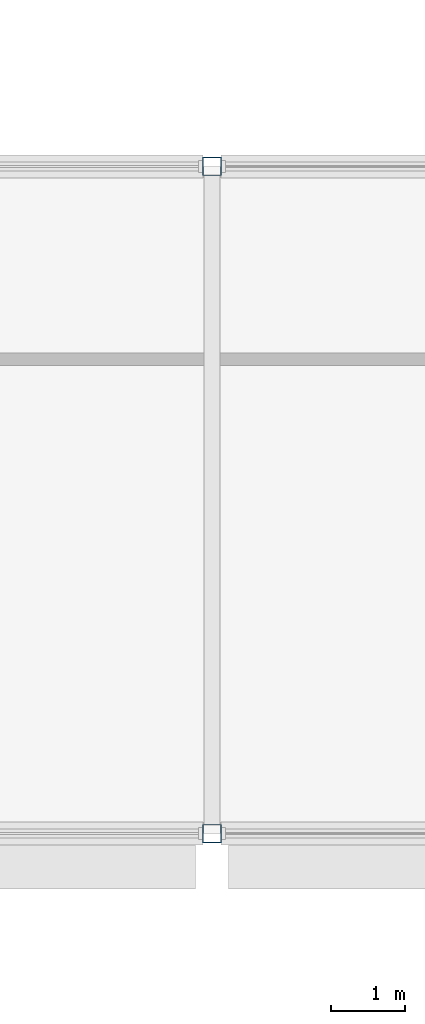
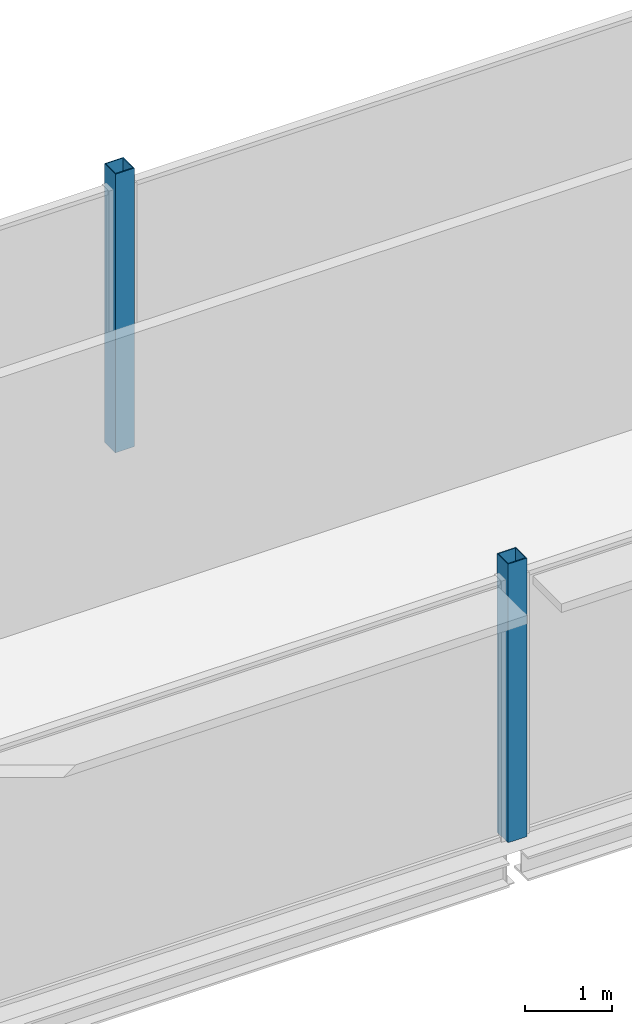
# One storey, part 6 of 96: 2 columns.
"""IFC4 building model written with IfcOpenShell, lengths in metres."""

from ifc_helpers import new_model, si_unit, direction, frame, origin, origin_2d, place, context, subcontext, project, spatial, hollow_rectangle, extrude, material, material_profile, profile_set, type_object, element, save


model = new_model("IFC4")

# Units and contexts
model_context = context("Model", 3, precision=1e-05, world=origin(), true_north=direction((0.0, 1.0)))
body_context = subcontext(model_context, "Body", "Model", "MODEL_VIEW")
ifc_project = project(units=[si_unit("LENGTHUNIT", "METRE"), si_unit("AREAUNIT", "SQUARE_METRE"), si_unit("VOLUMEUNIT", "CUBIC_METRE"), si_unit("PLANEANGLEUNIT", "RADIAN"), si_unit("MASSUNIT", "GRAM", prefix="KILO")], contexts=[model_context])

# Site, building, storey
site_placement = place(None, origin())
site = spatial("IfcSite", under=ifc_project, at=site_placement, CompositionType="ELEMENT")
building_placement = place(site_placement, origin())
building = spatial("IfcBuilding", under=site, at=building_placement, Name="Kisiwana Market Hall", CompositionType="ELEMENT")
storey_placement = place(building_placement, frame((0.0, 0.0, 25.5)))
storey = spatial("IfcBuildingStorey", under=building, at=storey_placement, Name="L05", CompositionType="ELEMENT", Elevation=25.5)

# Columns
ifc_material = material(Name="Steel S355", Category="steel")
ifc_material_profile = material_profile(ifc_material, hollow_rectangle(XDim=0.25, YDim=0.25, WallThickness=0.012451171875, at=origin_2d()), Name="SHS 250x250x12.5")
ifc_profile_set = profile_set([ifc_material_profile], Name="Steel S355")
column_type = type_object("IfcColumnType", Name="COL-STL-SHS250", PredefinedType="COLUMN", material=ifc_profile_set)
for number, where, z_axis, x_axis, name in (
    (1, (63.0, 93.0, 0.0), (0.0, 0.0, 1.0), (1.0, 0.0, 0.0), "Column M/8 (L05) C-0919"),
    (2, (63.0, 102.0, 0.0), (0.0, 0.0, 1.0), (1.0, 0.0, 0.0), "Column N/8 (L05) C-0920"),
):
    element("IfcColumn", number, at=place(storey_placement, frame(where, z_axis=z_axis, x_axis=x_axis)), inside=storey, type_object=column_type, Name=name, PredefinedType="COLUMN", context=body_context, shape_type="SweptSolid", body=[
        extrude(hollow_rectangle(XDim=0.25, YDim=0.25, WallThickness=0.012451171875, at=origin_2d()), origin(), (0.0, 0.0, 1.0), 3.89990234375),
    ])

save(model, "model.ifc")
